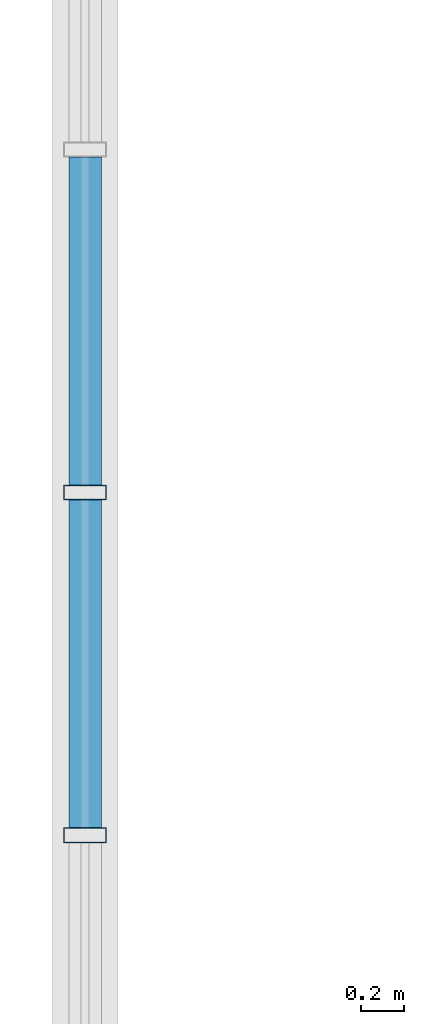
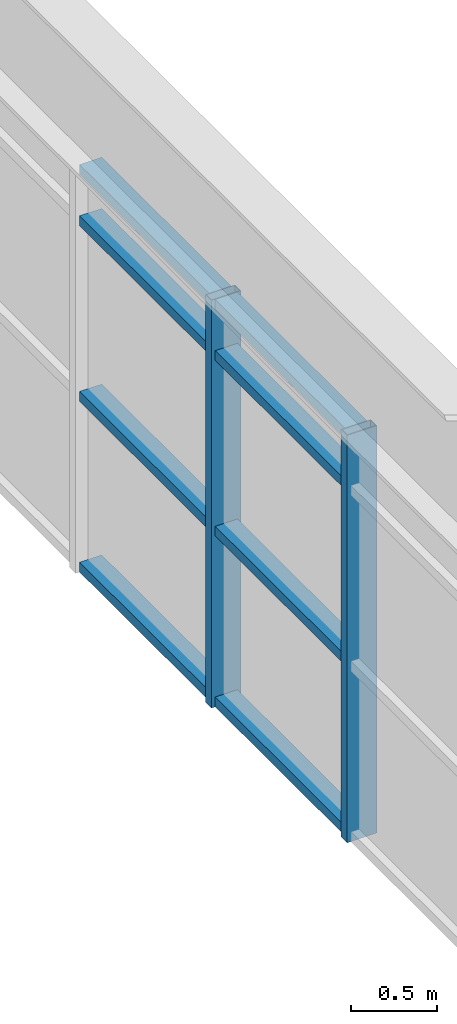
# One storey, part 11 of 28: 10 members, 1 element without a shape of its own.
"""IFC4 building model written with IfcOpenShell, lengths in metres."""

from ifc_helpers import new_model, si_unit, direction, frame, origin, origin_2d, place, context, subcontext, project, spatial, hollow_rectangle, extrude, source, transform, mapped, material, layer, layer_set, material_profile, profile_set, type_object, element, aggregate, save


model = new_model("IFC4")

# Units and contexts
model_context = context("Model", 3, precision=1e-05, world=origin(), true_north=direction((0.0, 1.0)))
body_context = subcontext(model_context, "Body", "Model", "MODEL_VIEW")
ifc_project = project(units=[si_unit("LENGTHUNIT", "METRE"), si_unit("AREAUNIT", "SQUARE_METRE"), si_unit("VOLUMEUNIT", "CUBIC_METRE"), si_unit("PLANEANGLEUNIT", "RADIAN"), si_unit("MASSUNIT", "GRAM", prefix="KILO")], contexts=[model_context])

# Site, building, storey
site_placement = place(None, origin())
site = spatial("IfcSite", under=ifc_project, at=site_placement, CompositionType="ELEMENT")
building_placement = place(site_placement, origin())
building = spatial("IfcBuilding", under=site, at=building_placement, Name="Saelheon Loggia Tower", CompositionType="ELEMENT")
storey_placement = place(building_placement, frame((0.0, 0.0, 271.199951171875)))
storey = spatial("IfcBuildingStorey", under=building, at=storey_placement, Name="CR6", CompositionType="ELEMENT", Elevation=271.199951171875)

# Curtain wall, members
ifc_material_1 = material(Name="Bronze-Anodised Aluminium and Fritted Ceramic Screen", Category="aluminium")
ifc_layer = layer(ifc_material_1, 0.219970703125)
ifc_layer_set = layer_set([ifc_layer], Name="Bronze-Anodised Aluminium and Fritted Ceramic Screen")
curtain_wall_type = type_object("IfcCurtainWallType", Name="CW_CrownScreen", PredefinedType="NOTDEFINED", material=ifc_layer_set)
curtain_wall_placement = place(storey_placement, origin())
curtain_wall = element("IfcCurtainWall", 1, at=curtain_wall_placement, inside=storey, type_object=curtain_wall_type, Name="CR6 Crown Screen Curtain Wall 9-2", PredefinedType="NOTDEFINED")
ifc_material_2 = material(Name="Bronze-Anodised Aluminium 6063-T6", Category="aluminium")
ifc_material_profile_1 = material_profile(ifc_material_2, hollow_rectangle(XDim=0.070068359375, YDim=0.14990234375, WallThickness=0.0048828125, at=origin_2d()), Name="RHS-150x70x5")
ifc_profile_set_1 = profile_set([ifc_material_profile_1], Name="Bronze-Anodised Aluminium 6063-T6")
member_type_1 = type_object("IfcMemberType", Name="CW_CrownScreen_Transom", PredefinedType="USERDEFINED", material=ifc_profile_set_1)
shared_shape_1 = source(origin(), body_context, "Body", "SweptSolid", [
    extrude(hollow_rectangle(XDim=0.070068359375, YDim=0.14990234375, WallThickness=0.0048828125, at=origin_2d()), origin(), (0.0, 0.0, 1.0), 1.51171875),
])
member_1_placement = place(storey_placement, frame((23.35009765625, 30.91943359375, 0.03515625), z_axis=(0.0, -1.0, 0.0), x_axis=(0.0, 0.0, 1.0)))
member_1 = element("IfcMember", 2, at=member_1_placement, type_object=member_type_1, Name="CW6 transom 4.1", ObjectType="TRANSOM", PredefinedType="USERDEFINED", context=body_context, shape_type="MappedRepresentation", body=[
    mapped(shared_shape_1, transform((0.0, 0.0, 0.0), scale=1.0)),
])
member_2_placement = place(storey_placement, frame((23.35009765625, 30.91943359375, 1.25), z_axis=(0.0, -1.0, 0.0), x_axis=(0.0, 0.0, 1.0)))
member_2 = element("IfcMember", 3, at=member_2_placement, type_object=member_type_1, Name="CW6 transom 4.2", ObjectType="TRANSOM", PredefinedType="USERDEFINED", context=body_context, shape_type="MappedRepresentation", body=[
    mapped(shared_shape_1, transform((0.0, 0.0, 0.0), scale=1.0)),
])
member_3_placement = place(storey_placement, frame((23.35009765625, 30.91943359375, 2.5), z_axis=(0.0, -1.0, 0.0), x_axis=(0.0, 0.0, 1.0)))
member_3 = element("IfcMember", 4, at=member_3_placement, type_object=member_type_1, Name="CW6 transom 4.3", ObjectType="TRANSOM", PredefinedType="USERDEFINED", context=body_context, shape_type="MappedRepresentation", body=[
    mapped(shared_shape_1, transform((0.0, 0.0, 0.0), scale=1.0)),
])
member_4_placement = place(storey_placement, frame((23.35009765625, 30.91943359375, 2.864990234375), z_axis=(0.0, -1.0, 0.0), x_axis=(0.0, 0.0, 1.0)))
member_4 = element("IfcMember", 5, at=member_4_placement, type_object=member_type_1, Name="CW6 transom 4.4", ObjectType="TRANSOM", PredefinedType="USERDEFINED", context=body_context, shape_type="MappedRepresentation", body=[
    mapped(shared_shape_1, transform((0.0, 0.0, 0.0), scale=1.0)),
])
member_5_placement = place(storey_placement, frame((23.35009765625, 29.337646484375, 0.03515625), z_axis=(0.0, -1.0, 0.0), x_axis=(0.0, 0.0, 1.0)))
member_5 = element("IfcMember", 6, at=member_5_placement, type_object=member_type_1, Name="CW6 transom 5.1", ObjectType="TRANSOM", PredefinedType="USERDEFINED", context=body_context, shape_type="MappedRepresentation", body=[
    mapped(shared_shape_1, transform((0.0, 0.0, 0.0), scale=1.0)),
])
member_6_placement = place(storey_placement, frame((23.35009765625, 29.337646484375, 1.25), z_axis=(0.0, -1.0, 0.0), x_axis=(0.0, 0.0, 1.0)))
member_6 = element("IfcMember", 7, at=member_6_placement, type_object=member_type_1, Name="CW6 transom 5.2", ObjectType="TRANSOM", PredefinedType="USERDEFINED", context=body_context, shape_type="MappedRepresentation", body=[
    mapped(shared_shape_1, transform((0.0, 0.0, 0.0), scale=1.0)),
])
member_7_placement = place(storey_placement, frame((23.35009765625, 29.337646484375, 2.5), z_axis=(0.0, -1.0, 0.0), x_axis=(0.0, 0.0, 1.0)))
member_7 = element("IfcMember", 8, at=member_7_placement, type_object=member_type_1, Name="CW6 transom 5.3", ObjectType="TRANSOM", PredefinedType="USERDEFINED", context=body_context, shape_type="MappedRepresentation", body=[
    mapped(shared_shape_1, transform((0.0, 0.0, 0.0), scale=1.0)),
])
member_8_placement = place(storey_placement, frame((23.35009765625, 29.337646484375, 2.864990234375), z_axis=(0.0, -1.0, 0.0), x_axis=(0.0, 0.0, 1.0)))
member_8 = element("IfcMember", 9, at=member_8_placement, type_object=member_type_1, Name="CW6 transom 5.4", ObjectType="TRANSOM", PredefinedType="USERDEFINED", context=body_context, shape_type="MappedRepresentation", body=[
    mapped(shared_shape_1, transform((0.0, 0.0, 0.0), scale=1.0)),
])
ifc_material_profile_2 = material_profile(ifc_material_2, hollow_rectangle(XDim=0.070068359375, YDim=0.199951171875, WallThickness=0.0048828125, at=origin_2d()), Name="RHS-200x70x5")
ifc_profile_set_2 = profile_set([ifc_material_profile_2], Name="Bronze-Anodised Aluminium 6063-T6")
member_type_2 = type_object("IfcMemberType", Name="CW_CrownScreen_Mullion", PredefinedType="MULLION", material=ifc_profile_set_2)
shared_shape_2 = source(origin(), body_context, "Body", "SweptSolid", [
    extrude(hollow_rectangle(XDim=0.070068359375, YDim=0.199951171875, WallThickness=0.0048828125, at=origin_2d()), origin(), (0.0, 0.0, 1.0), 2.900146484375),
])
member_9_placement = place(storey_placement, frame((23.35009765625, 29.372802734375, 0.0), z_axis=(0.0, 0.0, 1.0), x_axis=(0.0, -1.0, 0.0)))
member_9 = element("IfcMember", 10, at=member_9_placement, type_object=member_type_2, Name="CW6 mullion 5", PredefinedType="MULLION", context=body_context, shape_type="MappedRepresentation", body=[
    mapped(shared_shape_2, transform((0.0, 0.0, 0.0), scale=1.0)),
])
member_10_placement = place(storey_placement, frame((23.35009765625, 27.791015625, 0.0), z_axis=(0.0, 0.0, 1.0), x_axis=(0.0, -1.0, 0.0)))
member_10 = element("IfcMember", 11, at=member_10_placement, type_object=member_type_2, Name="CW6 mullion 6", PredefinedType="MULLION", context=body_context, shape_type="MappedRepresentation", body=[
    mapped(shared_shape_2, transform((0.0, 0.0, 0.0), scale=1.0)),
])
aggregate(curtain_wall, [member_9, member_10, member_1, member_2, member_3, member_4, member_5, member_6, member_7, member_8])

save(model, "model.ifc")
